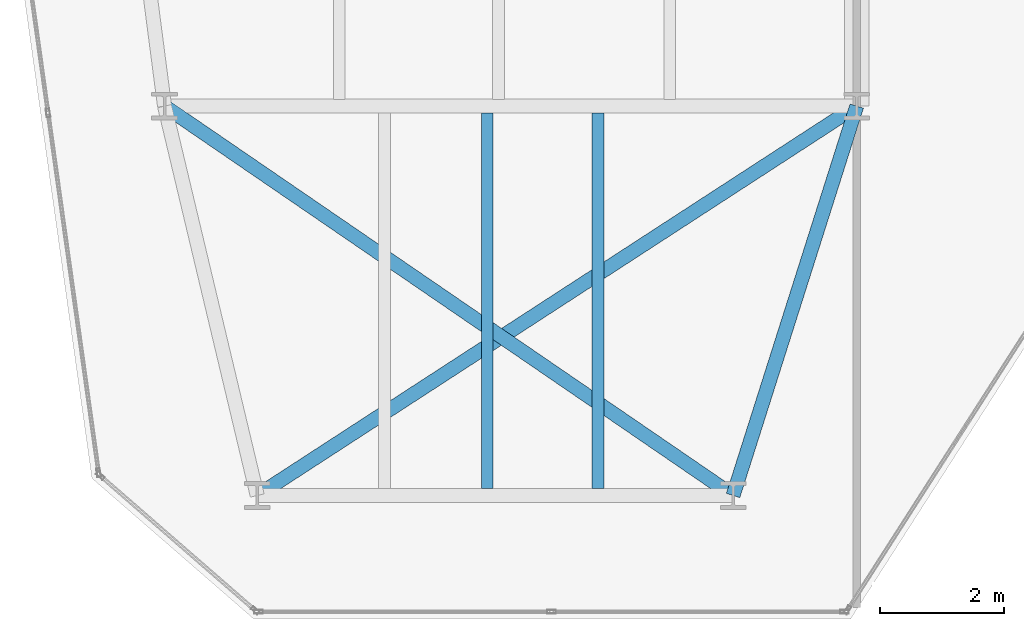
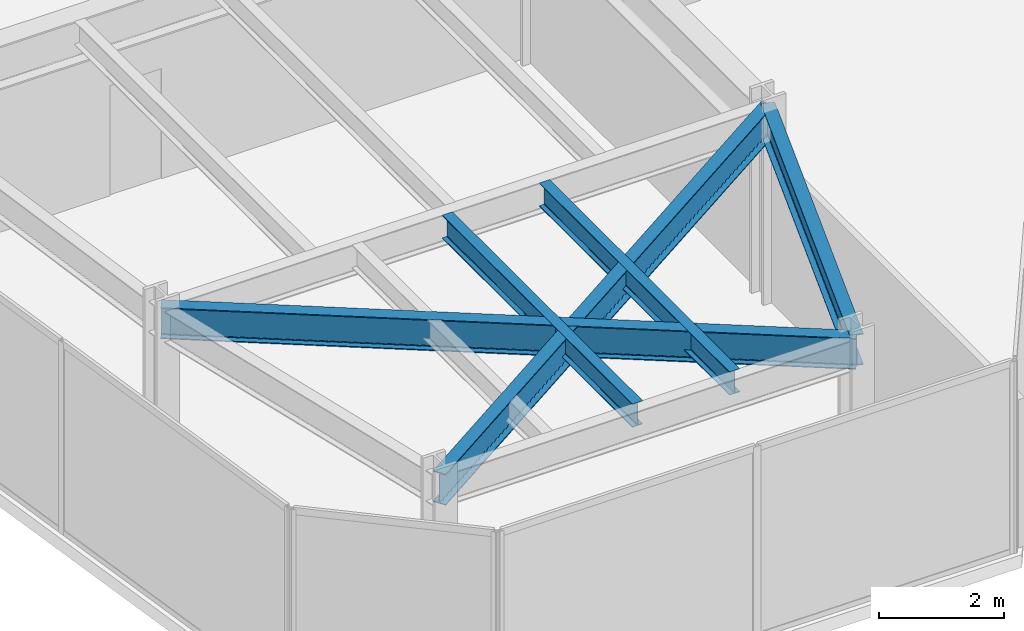
# One storey, part 4 of 26: 5 beams.
"""IFC4 building model written with IfcOpenShell, lengths in metres."""

from ifc_helpers import new_model, si_unit, direction, frame, origin, origin_2d, place, context, subcontext, project, spatial, i_section, extrude, material, material_profile, profile_set, type_object, element, save


model = new_model("IFC4")

# Units and contexts
model_context = context("Model", 3, precision=1e-05, world=origin(), true_north=direction((0.0, 1.0)))
body_context = subcontext(model_context, "Body", "Model", "MODEL_VIEW")
ifc_project = project(units=[si_unit("LENGTHUNIT", "METRE"), si_unit("AREAUNIT", "SQUARE_METRE"), si_unit("VOLUMEUNIT", "CUBIC_METRE"), si_unit("PLANEANGLEUNIT", "RADIAN"), si_unit("MASSUNIT", "GRAM", prefix="KILO")], contexts=[model_context])

# Site, building, storey
site_placement = place(None, origin())
site = spatial("IfcSite", under=ifc_project, at=site_placement, CompositionType="ELEMENT")
building_placement = place(site_placement, origin())
building = spatial("IfcBuilding", under=site, at=building_placement, Name="Kravanh Interchange Tower", CompositionType="ELEMENT")
storey_placement = place(building_placement, frame((0.0, 0.0, 148.0)))
storey = spatial("IfcBuildingStorey", under=building, at=storey_placement, Name="L35", CompositionType="ELEMENT", Elevation=148.0)

# Beams
ifc_material_1 = material(Name="Structural Steel S355", Category="steel")
ifc_material_profile_1 = material_profile(ifc_material_1, i_section(OverallWidth=0.18994140625, OverallDepth=0.45703125, WebThickness=0.009033203125, FlangeThickness=0.014404296875, FilletRadius=0.01806640625, at=origin_2d()), Name="W18X50")
ifc_profile_set_1 = profile_set([ifc_material_profile_1], Name="Structural Steel S355")
beam_type_1 = type_object("IfcBeamType", Name="Floor Joist W18X50 Structural Steel S355", PredefinedType="JOIST", material=ifc_profile_set_1)
for number, where, z_axis, x_axis, name in (
    (1, (21.221923828125, 8.30908203125, 3.521484375), (0.0, 1.0, 0.0), (-1.0, 0.0, 0.0), "L35 Secondary Floor Joist 2"),
    (2, (23.013916015625, 8.30908203125, 3.521484375), (0.0, 1.0, 0.0), (-1.0, 0.0, 0.0), "L35 Secondary Floor Joist 3"),
):
    element("IfcBeam", number, at=place(storey_placement, frame(where, z_axis=z_axis, x_axis=x_axis)), inside=storey, type_object=beam_type_1, Name=name, PredefinedType="JOIST", context=body_context, shape_type="SweptSolid", body=[
        extrude(i_section(OverallWidth=0.18994140625, OverallDepth=0.45703125, WebThickness=0.009033203125, FlangeThickness=0.014404296875, FilletRadius=0.01806640625, at=origin_2d()), origin(), (0.0, 0.0, 1.0), 6.08203125),
    ])
ifc_material_2 = material(Name="Structural Steel S355", Category="steel")
ifc_material_profile_2 = material_profile(ifc_material_2, i_section(OverallWidth=0.22802734375, OverallDepth=0.60791015625, WebThickness=0.01123046875, FlangeThickness=0.017333984375, FilletRadius=0.02197265625, at=origin_2d()), Name="W24X76")
ifc_profile_set_2 = profile_set([ifc_material_profile_2], Name="Structural Steel S355")
beam_type_2 = type_object("IfcBeamType", Name="Floor Spandrel W24X76 Structural Steel S355", PredefinedType="SPANDREL", material=ifc_profile_set_2)
beam_1_placement = place(storey_placement, frame((17.5, 8.199951171875, 3.446044921875), z_axis=(0.838637911458, 0.544689318295, 0.0), x_axis=(-0.544689318295, 0.838637911458, 0.0)))
element("IfcBeam", 3, at=beam_1_placement, inside=storey, type_object=beam_type_2, Name="L35 Perimeter Spandrel 36", PredefinedType="SPANDREL", context=body_context, shape_type="SweptSolid", body=[
    extrude(i_section(OverallWidth=0.22802734375, OverallDepth=0.60791015625, WebThickness=0.01123046875, FlangeThickness=0.017333984375, FilletRadius=0.02197265625, at=origin_2d()), origin(), (0.0, 0.0, 1.0), 11.56640625),
])
beam_2_placement = place(storey_placement, frame((25.199951171875, 8.199951171875, 3.446044921875), z_axis=(0.30257700201, 0.953124943465, 0.0), x_axis=(-0.953124943465, 0.30257700201, 0.0)))
element("IfcBeam", 4, at=beam_2_placement, inside=storey, type_object=beam_type_2, Name="L35 Perimeter Spandrel 76", PredefinedType="SPANDREL", context=body_context, shape_type="SweptSolid", body=[
    extrude(i_section(OverallWidth=0.22802734375, OverallDepth=0.60791015625, WebThickness=0.01123046875, FlangeThickness=0.017333984375, FilletRadius=0.02197265625, at=origin_2d()), origin(), (0.0, 0.0, 1.0), 6.60986328125),
])
beam_3_placement = place(storey_placement, frame((25.199951171875, 8.199951171875, 3.446044921875), z_axis=(-0.825083781107, 0.565010401811, 0.0), x_axis=(-0.565010401811, -0.825083781107, 0.0)))
element("IfcBeam", 5, at=beam_3_placement, inside=storey, type_object=beam_type_2, Name="L35 Perimeter Spandrel 77", PredefinedType="SPANDREL", context=body_context, shape_type="SweptSolid", body=[
    extrude(i_section(OverallWidth=0.22802734375, OverallDepth=0.60791015625, WebThickness=0.01123046875, FlangeThickness=0.017333984375, FilletRadius=0.02197265625, at=origin_2d()), origin(), (0.0, 0.0, 1.0), 11.150390625),
])

save(model, "model.ifc")
